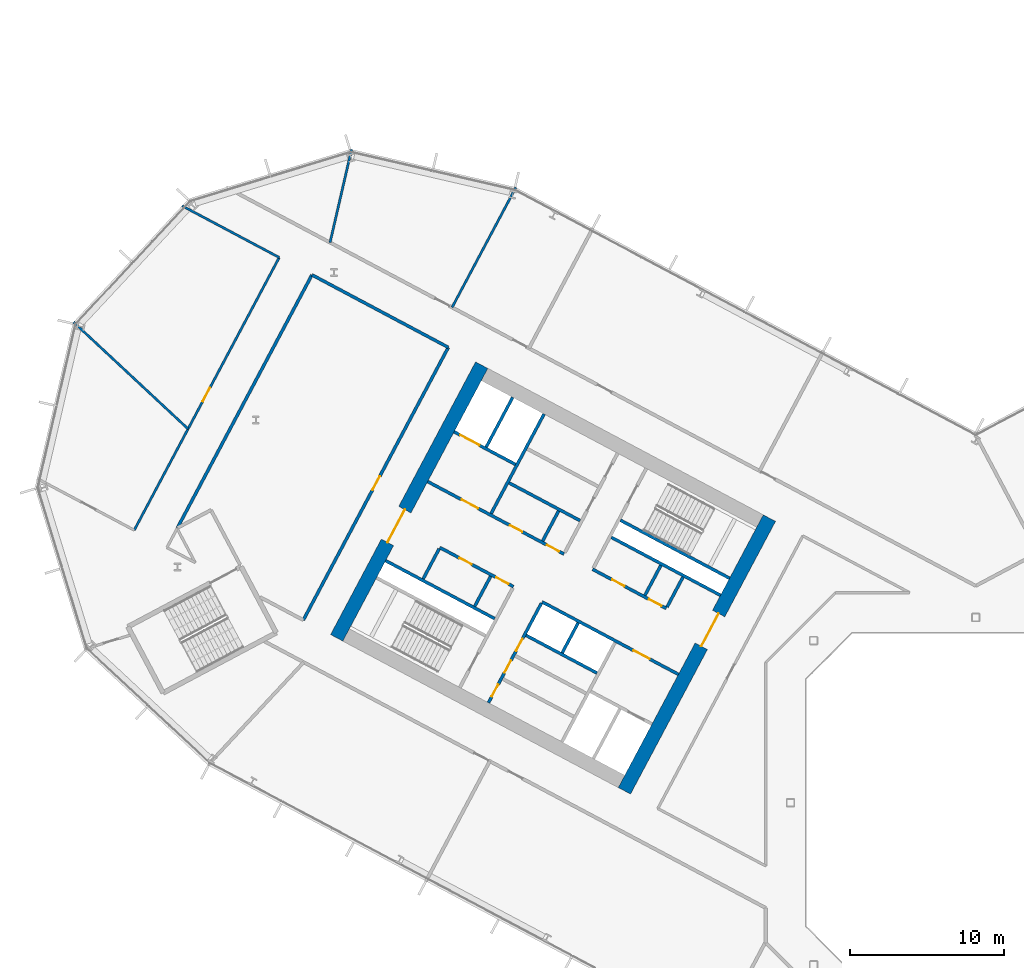
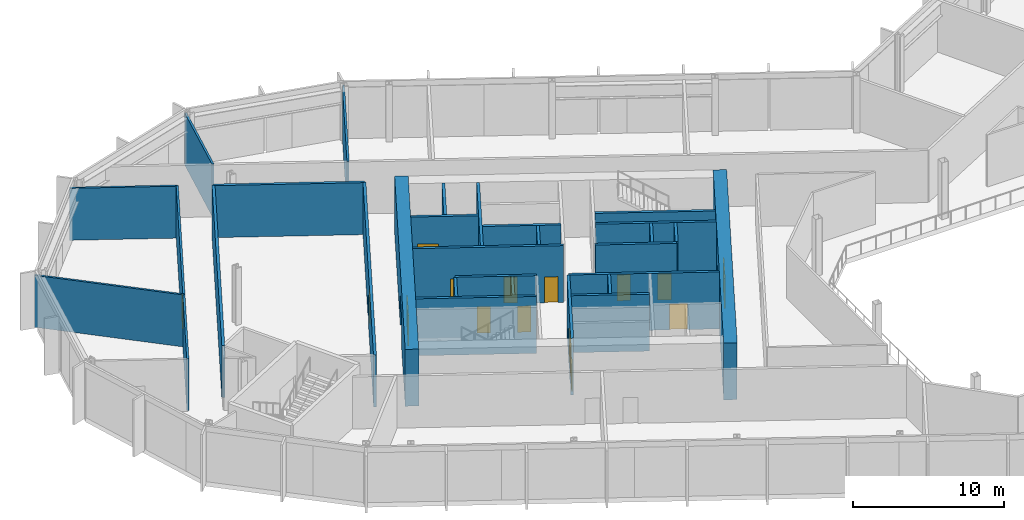
# One storey, part 15 of 32: 29 walls, 16 doors, 16 openings.
"""IFC4 building model written with IfcOpenShell, lengths in metres."""

import ifcopenshell
import ifcopenshell.guid

model = None  # the IFC model being written
_history = None  # IfcOwnerHistory: only IFC2X3 demands one
_inside = {}  # id of a spatial element -> (the spatial element, [elements in it])
_under = {}  # id of a project, library or spatial element -> (it, [spatial elements below it])
_declared = {}  # id of a project -> (the project, [libraries it declares])
_typed = {}  # id of a type object -> (the type object, [elements of that type])
_made_of = {}  # id of a material, layer set ... -> (it, [elements and type objects made of it])


def new_model(schema):
    """Start an empty IFC model of exactly this schema.

    Asked for "IFC4X3", IfcOpenShell would pick the latest addendum, in which some entities
    have other attributes; the version numbers below select the first issue.
    IFC2X3 requires an IfcOwnerHistory on every rooted entity: one is made here for all.
    """
    global model, _history
    if schema == "IFC4X3":
        model = ifcopenshell.file(schema_version=(4, 3, 0, 0))
    else:
        model = ifcopenshell.file(schema=schema)
    _inside.clear()
    _under.clear()
    _declared.clear()
    _typed.clear()
    _made_of.clear()
    _history = None
    if model.schema == "IFC2X3":
        org = make("IfcOrganization", Name="unknown")
        user = make(
            "IfcPersonAndOrganization",
            ThePerson=make("IfcPerson", FamilyName="unknown"),
            TheOrganization=org,
        )
        app = make(
            "IfcApplication",
            ApplicationDeveloper=org,
            Version="unknown",
            ApplicationFullName="unknown",
            ApplicationIdentifier="unknown",
        )
        _history = make(
            "IfcOwnerHistory",
            OwningUser=user,
            OwningApplication=app,
            ChangeAction="ADDED",
            CreationDate=0,
        )
    return model


def make(cls, **values):
    """One entity of the class cls with the attributes given. An attribute that is None is left unset."""
    return model.create_entity(
        cls, **{name: value for name, value in values.items() if value is not None}
    )


def rooted(cls, **values):
    """An entity with a GlobalId (a new one), such as an element, a storey or a relation."""
    return make(cls, GlobalId=ifcopenshell.guid.new(), OwnerHistory=_history, **values)


def si_unit(unit_type, name, prefix=None):
    """IfcSIUnit, for example si_unit("LENGTHUNIT", "METRE", prefix="MILLI")."""
    return make("IfcSIUnit", UnitType=unit_type, Prefix=prefix, Name=name)


def assignment(units):
    """IfcUnitAssignment: the units of a project."""
    return None if units is None else make("IfcUnitAssignment", Units=units)


def point(xyz):
    """IfcCartesianPoint."""
    return None if xyz is None else make("IfcCartesianPoint", Coordinates=xyz)


def direction(xyz):
    """IfcDirection."""
    return None if xyz is None else make("IfcDirection", DirectionRatios=xyz)


def frame(location, z_axis=None, x_axis=None):
    """IfcAxis2Placement3D, a coordinate frame: its origin and axes. An axis left out is left unset."""
    return make(
        "IfcAxis2Placement3D",
        Location=point(location),
        Axis=direction(z_axis),
        RefDirection=direction(x_axis),
    )


def frame_2d(location, x_axis=None):
    """IfcAxis2Placement2D, a coordinate frame in the plane: its origin and x axis."""
    return make(
        "IfcAxis2Placement2D", Location=point(location), RefDirection=direction(x_axis)
    )


def origin():
    """The frame at (0, 0, 0) with its axes left unset."""
    return frame((0.0, 0.0, 0.0))


def place(relative_to, where):
    """IfcLocalPlacement: puts the frame where relative to a parent placement (None: the world)."""
    return make(
        "IfcLocalPlacement", PlacementRelTo=relative_to, RelativePlacement=where
    )


def context(
    kind, dimensions, precision=None, world=None, true_north=None, identifier=None
):
    """IfcGeometricRepresentationContext, for example the 3D "Model" context."""
    return make(
        "IfcGeometricRepresentationContext",
        ContextIdentifier=identifier,
        ContextType=kind,
        CoordinateSpaceDimension=dimensions,
        Precision=precision,
        WorldCoordinateSystem=world,
        TrueNorth=true_north,
    )


def subcontext(parent, identifier, kind, view, scale=None):
    """IfcGeometricRepresentationSubContext, for example "Body" below "Model"."""
    return make(
        "IfcGeometricRepresentationSubContext",
        ContextIdentifier=identifier,
        ContextType=kind,
        ParentContext=parent,
        TargetScale=scale,
        TargetView=view,
    )


def project(units=None, contexts=None):
    """IfcProject with its units and contexts."""
    return rooted(
        "IfcProject",
        Name="project",
        RepresentationContexts=contexts,
        UnitsInContext=assignment(units),
    )


def spatial(cls, under=None, at=None, **own):
    """A site, building, storey or space (cls), placed at a placement, below another one or the project."""
    s = rooted(cls, ObjectPlacement=at, **own)
    if under is not None:
        _under.setdefault(under.id(), (under, []))[1].append(s)
    return s


def profile(cls, at=None, kind="AREA", **sizes):
    """A parametric profile (cls). Its sizes go by their IFC names, for example OverallWidth=200.0."""
    return make(cls, ProfileType=kind, Position=at, **sizes)


def rectangle(**sizes):
    """IfcRectangleProfileDef."""
    return profile("IfcRectangleProfileDef", **sizes)


def extrude(swept, where, along, depth):
    """IfcExtrudedAreaSolid: the profile swept, set in the frame where, extruded along a direction by depth."""
    return make(
        "IfcExtrudedAreaSolid",
        SweptArea=swept,
        Position=where,
        ExtrudedDirection=direction(along),
        Depth=depth,
    )


def shape(context_of_items, identifier, shape_type, items):
    """IfcShapeRepresentation: the items that make up one representation, for example the "Body"."""
    return make(
        "IfcShapeRepresentation",
        ContextOfItems=context_of_items,
        RepresentationIdentifier=identifier,
        RepresentationType=shape_type,
        Items=items,
    )


def material(Name=None, Category=None):
    """IfcMaterial."""
    return make("IfcMaterial", Name=Name, Category=Category)


def layer(
    of_material, thickness, ventilated=None, Name=None, Category=None, Priority=None
):
    """IfcMaterialLayer: one layer of a wall or slab, of a material (None: an air gap)."""
    return make(
        "IfcMaterialLayer",
        Material=of_material,
        LayerThickness=thickness,
        IsVentilated=ventilated,
        Name=Name,
        Category=Category,
        Priority=Priority,
    )


def layer_set(layers, Name=None):
    """IfcMaterialLayerSet."""
    return make("IfcMaterialLayerSet", MaterialLayers=layers, LayerSetName=Name)


def made_of(thing, what):
    """Note that an element or type object is made of a material, layer set ...; save() writes the relation."""
    if what is not None:
        _made_of.setdefault(what.id(), (what, []))[1].append(thing)
    return thing


def type_object(cls, material=None, **own):
    """A type object (cls), such as IfcWallType, which elements share."""
    return made_of(rooted(cls, **own), material)


def element(
    cls,
    number,
    at=None,
    inside=None,
    cuts=None,
    type_object=None,
    material=None,
    context=None,
    identifier="Body",
    shape_type=None,
    held_by="IfcProductDefinitionShape",
    body=None,
    shapes=None,
    **own,
):
    """One element of the class cls, such as IfcWall. Its Tag is "e" and its number.

    at: its placement. inside: the storey or other place that contains it. cuts: it is an
    opening in that element (IfcRelVoidsElement). A single representation is given by context,
    identifier, shape_type and body (its items); several are given by shapes. held_by: the class
    of the entity that holds the representations. save() writes the other relations.
    """
    e = rooted(cls, Tag="e%d" % number, ObjectPlacement=at, **own)
    if body is not None:
        shapes = [shape(context, identifier, shape_type, body)]
    if shapes is not None:
        e.Representation = make(held_by, Representations=shapes)
    if inside is not None:
        _inside.setdefault(inside.id(), (inside, []))[1].append(e)
    if cuts is not None:
        rooted(
            "IfcRelVoidsElement", RelatingBuildingElement=cuts, RelatedOpeningElement=e
        )
    if type_object is not None:
        _typed.setdefault(type_object.id(), (type_object, []))[1].append(e)
    return made_of(e, material)


def fill(opening, filler):
    """IfcRelFillsElement: the door or window that sits in an opening."""
    return rooted(
        "IfcRelFillsElement",
        RelatingOpeningElement=opening,
        RelatedBuildingElement=filler,
    )


def aggregate(whole, parts):
    """IfcRelAggregates: a whole, such as a stair, and the parts it consists of."""
    return rooted("IfcRelAggregates", RelatingObject=whole, RelatedObjects=parts)


def save(model, path):
    """Write the relations noted so far, then the file.

    IfcRelAggregates (storeys below a building ...), IfcRelContainedInSpatialStructure (elements
    in a storey), IfcRelDefinesByType, IfcRelAssociatesMaterial and IfcRelDeclares: one each for
    every whole, place, type object, material and project.
    """
    for whole, parts in _under.values():
        aggregate(whole, parts)
    for where, things in _inside.values():
        rooted(
            "IfcRelContainedInSpatialStructure",
            RelatedElements=things,
            RelatingStructure=where,
        )
    for kind, things in _typed.values():
        rooted("IfcRelDefinesByType", RelatedObjects=things, RelatingType=kind)
    for what, things in _made_of.values():
        rooted("IfcRelAssociatesMaterial", RelatedObjects=things, RelatingMaterial=what)
    for by, libraries in _declared.values():
        rooted("IfcRelDeclares", RelatingContext=by, RelatedDefinitions=libraries)
    model.write(path)


model = new_model("IFC4")

# Units and contexts
model_context = context("Model", 3, precision=1e-05, world=origin(), true_north=direction((0.0, 1.0)))
body_context = subcontext(model_context, "Body", "Model", "MODEL_VIEW")
ifc_project = project(units=[si_unit("LENGTHUNIT", "METRE"), si_unit("AREAUNIT", "SQUARE_METRE"), si_unit("VOLUMEUNIT", "CUBIC_METRE"), si_unit("PLANEANGLEUNIT", "RADIAN"), si_unit("MASSUNIT", "GRAM", prefix="KILO")], contexts=[model_context])

# Site, building, storey
site_placement = place(None, origin())
site = spatial("IfcSite", under=ifc_project, at=site_placement, CompositionType="ELEMENT")
building_placement = place(site_placement, origin())
building = spatial("IfcBuilding", under=site, at=building_placement, Name="Cormorant Relay Tower", CompositionType="ELEMENT")
storey_placement = place(building_placement, frame((0.0, 0.0, 75.39990234375)))
storey = spatial("IfcBuildingStorey", under=building, at=storey_placement, Name="L14", CompositionType="ELEMENT", Elevation=75.39990234375)

# Walls
ifc_material_1 = material(Name="Concrete 40 MPa", Category="concrete")
ifc_layer_1 = layer(ifc_material_1, 0.199951171875)
ifc_layer_set_1 = layer_set([ifc_layer_1], Name="Core internal wall 200")
wall_type_1 = type_object("IfcWallType", Name="Core internal wall 200", PredefinedType="SOLIDWALL", material=ifc_layer_set_1)
wall_1_placement = place(storey_placement, frame((-20.39013671875, 15.371826171875, 0.0), z_axis=(0.0, 0.0, 1.0), x_axis=(-0.4694473164, -0.882960484464, 0.0)))
element("IfcWall", 1, at=wall_1_placement, inside=storey, type_object=wall_type_1, Name="L14 core A shaft and room wall", PredefinedType="SOLIDWALL", context=body_context, shape_type="SweptSolid", body=[
    extrude(rectangle(XDim=2.199951171875, YDim=0.199951171875, at=frame_2d((1.10009765625, 0.0))), origin(), (0.0, 0.0, 1.0), 4.60009765625),
])
wall_2_placement = place(storey_placement, frame((-25.744140625, 11.64990234375, 0.0), z_axis=(0.0, 0.0, 1.0), x_axis=(-0.469487830541, -0.882938942948, 0.0)))
element("IfcWall", 2, at=wall_2_placement, inside=storey, type_object=wall_type_1, Name="L14 core A shaft and room wall", PredefinedType="SOLIDWALL", context=body_context, shape_type="SweptSolid", body=[
    extrude(rectangle(XDim=2.2001953125, YDim=0.199951171875, at=frame_2d((1.10009765625, 0.0))), origin(), (0.0, 0.0, 1.0), 4.60009765625),
])
for number, where, z_axis, x_axis, name in (
    (3, (-27.01220703125, 18.892822265625, 0.0), (0.0, 0.0, 1.0), (-0.4694473164, -0.882960484464, 0.0), "L14 core A shaft and room wall"),
    (4, (-31.41259765625, 14.663818359375, 0.0), (0.0, 0.0, 1.0), (-0.469533832133, -0.882914480843, 0.0), "L14 core A shaft and room wall"),
):
    element("IfcWall", number, at=place(storey_placement, frame(where, z_axis=z_axis, x_axis=x_axis)), inside=storey, type_object=wall_type_1, Name=name, PredefinedType="SOLIDWALL", context=body_context, shape_type="SweptSolid", body=[
        extrude(rectangle(XDim=2.199951171875, YDim=0.199951171875, at=frame_2d((1.10009765625, 0.0))), origin(), (0.0, 0.0, 1.0), 4.60009765625),
    ])
ifc_material_2 = material(Name="Concrete 50 MPa", Category="concrete")
ifc_layer_2 = layer(ifc_material_2, 0.199951171875)
ifc_layer_set_2 = layer_set([ifc_layer_2], Name="Core shaft wall 200")
wall_type_2 = type_object("IfcWallType", Name="Core shaft wall 200", PredefinedType="SHEAR", material=ifc_layer_set_2)
wall_3_placement = place(storey_placement, frame((-18.959716796875, 14.611328125, 0.0), z_axis=(0.0, 0.0, 1.0), x_axis=(-0.4694473164, -0.882960484464, 0.0)))
element("IfcWall", 5, at=wall_3_placement, inside=storey, type_object=wall_type_2, Name="L14 core A shaft wall", PredefinedType="SHEAR", context=body_context, shape_type="SweptSolid", body=[
    extrude(rectangle(XDim=2.199951171875, YDim=0.199951171875, at=frame_2d((1.10009765625, 0.0))), origin(), (0.0, 0.0, 1.0), 4.60009765625),
])

# Wall, openings, doors
wall_4_placement = place(storey_placement, frame((-28.128173828125, 12.91748046875, 0.0), z_axis=(0.0, 0.0, 1.0), x_axis=(-0.469454336211, -0.882956752176, 0.0)))
wall_4 = element("IfcWall", 6, at=wall_4_placement, inside=storey, type_object=wall_type_2, Name="L14 core A shaft wall", PredefinedType="SHEAR", context=body_context, shape_type="SweptSolid", body=[
    extrude(rectangle(XDim=7.300048828125, YDim=0.199951171875, at=frame_2d((3.64990234375, 0.0))), origin(), (0.0, 0.0, 1.0), 4.60009765625),
])
opening_1_placement = place(wall_4_placement, frame((2.60009765625, 0.0, 0.0)))
opening_1 = element("IfcOpeningElement", 7, at=opening_1_placement, cuts=wall_4, Name="Opening CDD-114", PredefinedType="OPENING", context=body_context, shape_type="SweptSolid", body=[
    extrude(rectangle(XDim=0.89990234375, YDim=2.10009765625, at=frame_2d((0.449951171875, 1.050048828125))), frame((0.0, 0.10986328125, 0.0), z_axis=(0.0, -1.0, 0.0), x_axis=(1.0, 0.0, 0.0)), (0.0, 0.0, 1.0), 0.219970703125),
])
opening_2_placement = place(wall_4_placement, frame((4.199951171875, 0.0, 0.0)))
opening_2 = element("IfcOpeningElement", 8, at=opening_2_placement, cuts=wall_4, Name="Opening CDD-115", PredefinedType="OPENING", context=body_context, shape_type="SweptSolid", body=[
    extrude(rectangle(XDim=0.89990234375, YDim=2.10009765625, at=frame_2d((0.449951171875, 1.050048828125))), frame((0.0, 0.10986328125, 0.0), z_axis=(0.0, -1.0, 0.0), x_axis=(1.0, 0.0, 0.0)), (0.0, 0.0, 1.0), 0.219970703125),
])
opening_3_placement = place(wall_4_placement, frame((5.949951171875, 0.0, 0.0)))
opening_3 = element("IfcOpeningElement", 9, at=opening_3_placement, cuts=wall_4, Name="Opening CDD-116", PredefinedType="OPENING", context=body_context, shape_type="SweptSolid", body=[
    extrude(rectangle(XDim=0.89990234375, YDim=2.10009765625, at=frame_2d((0.449951171875, 1.050048828125))), frame((0.0, 0.10986328125, 0.0), z_axis=(0.0, -1.0, 0.0), x_axis=(1.0, 0.0, 0.0)), (0.0, 0.0, 1.0), 0.219970703125),
])
ifc_material_3 = material(Name="Steel fire door", Category="steel")
door_type_1 = type_object("IfcDoorType", Name="Core room door 900x2100", OperationType="SINGLE_SWING_LEFT", PredefinedType="DOOR", material=ifc_material_3)
door_1_placement = place(opening_1_placement, origin())
door_1 = element("IfcDoor", 10, at=door_1_placement, inside=storey, type_object=door_type_1, Name="Core room door 900x2100", OperationType="SINGLE_SWING_LEFT", OverallHeight=2.10009765625, OverallWidth=0.89990234375, PredefinedType="DOOR", context=body_context, shape_type="SweptSolid", body=[
    extrude(rectangle(XDim=0.89990234375, YDim=2.10009765625, at=frame_2d((0.449951171875, 1.050048828125))), frame((0.0, 0.02490234375, 0.0), z_axis=(0.0, -1.0, 0.0), x_axis=(1.0, 0.0, 0.0)), (0.0, 0.0, 1.0), 0.050048828125),
])
fill(opening_1, door_1)
door_2_placement = place(opening_2_placement, origin())
door_2 = element("IfcDoor", 11, at=door_2_placement, inside=storey, type_object=door_type_1, Name="Core room door 900x2100", OperationType="SINGLE_SWING_LEFT", OverallHeight=2.10009765625, OverallWidth=0.89990234375, PredefinedType="DOOR", context=body_context, shape_type="SweptSolid", body=[
    extrude(rectangle(XDim=0.89990234375, YDim=2.10009765625, at=frame_2d((0.449951171875, 1.050048828125))), frame((0.0, 0.02490234375, 0.0), z_axis=(0.0, -1.0, 0.0), x_axis=(1.0, 0.0, 0.0)), (0.0, 0.0, 1.0), 0.050048828125),
])
fill(opening_2, door_2)
door_3_placement = place(opening_3_placement, origin())
door_3 = element("IfcDoor", 12, at=door_3_placement, inside=storey, type_object=door_type_1, Name="Core room door 900x2100", OperationType="SINGLE_SWING_LEFT", OverallHeight=2.10009765625, OverallWidth=0.89990234375, PredefinedType="DOOR", context=body_context, shape_type="SweptSolid", body=[
    extrude(rectangle(XDim=0.89990234375, YDim=2.10009765625, at=frame_2d((0.449951171875, 1.050048828125))), frame((0.0, 0.02490234375, 0.0), z_axis=(0.0, -1.0, 0.0), x_axis=(1.0, 0.0, 0.0)), (0.0, 0.0, 1.0), 0.050048828125),
])
fill(opening_3, door_3)

# Walls
wall_5_placement = place(storey_placement, frame((-27.955322265625, 25.170654296875, 0.0), z_axis=(0.0, 0.0, 1.0), x_axis=(-0.469480409012, -0.88294288918, 0.0)))
element("IfcWall", 13, at=wall_5_placement, inside=storey, type_object=wall_type_2, Name="L14 core A shaft wall", PredefinedType="SHEAR", context=body_context, shape_type="SweptSolid", body=[
    extrude(rectangle(XDim=7.300048828125, YDim=0.199951171875, at=frame_2d((3.64990234375, 0.0))), origin(), (0.0, 0.0, 1.0), 4.60009765625),
])
wall_6_placement = place(storey_placement, frame((-34.750244140625, 16.4384765625, 0.0), z_axis=(0.0, 0.0, 1.0), x_axis=(-0.469401318492, -0.882984938828, 0.0)))
element("IfcWall", 14, at=wall_6_placement, inside=storey, type_object=wall_type_2, Name="L14 core A shaft wall", PredefinedType="SHEAR", context=body_context, shape_type="SweptSolid", body=[
    extrude(rectangle(XDim=2.199951171875, YDim=0.199951171875, at=frame_2d((1.10009765625, 0.0))), origin(), (0.0, 0.0, 1.0), 4.60009765625),
])
wall_7_placement = place(storey_placement, frame((-29.986083984375, 26.250244140625, 0.0), z_axis=(0.0, 0.0, 1.0), x_axis=(-0.469494272526, -0.882935517501, 0.0)))
element("IfcWall", 15, at=wall_7_placement, inside=storey, type_object=wall_type_2, Name="L14 core A shaft wall", PredefinedType="SHEAR", context=body_context, shape_type="SweptSolid", body=[
    extrude(rectangle(XDim=3.64990234375, YDim=0.199951171875, at=frame_2d((1.824951171875, 0.0))), origin(), (0.0, 0.0, 1.0), 4.60009765625),
])
wall_8_placement = place(storey_placement, frame((-15.94189453125, 14.53564453125, 0.0), z_axis=(0.0, 0.0, 1.0), x_axis=(-0.882946947542, 0.469472776449, 0.0)))
element("IfcWall", 16, at=wall_8_placement, inside=storey, type_object=wall_type_2, Name="L14 core A shaft wall", PredefinedType="SHEAR", context=body_context, shape_type="SweptSolid", body=[
    extrude(rectangle(XDim=8.000244140625, YDim=0.199951171875, at=frame_2d((4.0, 0.0))), origin(), (0.0, 0.0, 1.0), 4.60009765625),
])

# Wall, opening, door
wall_9_placement = place(storey_placement, frame((-29.80419921875, 21.906494140625, 0.0), z_axis=(0.0, 0.0, 1.0), x_axis=(-0.882960433586, 0.469447412093, 0.0)))
wall_9 = element("IfcWall", 17, at=wall_9_placement, inside=storey, type_object=wall_type_2, Name="L14 core A shaft wall", PredefinedType="SHEAR", context=body_context, shape_type="SweptSolid", body=[
    extrude(rectangle(XDim=4.5, YDim=0.199951171875, at=frame_2d((2.25, 0.0))), origin(), (0.0, 0.0, 1.0), 4.60009765625),
])
opening_4_placement = place(wall_9_placement, frame((2.64990234375, 0.0, 0.0)))
opening_4 = element("IfcOpeningElement", 18, at=opening_4_placement, cuts=wall_9, Name="Opening LD3-009", PredefinedType="OPENING", context=body_context, shape_type="SweptSolid", body=[
    extrude(rectangle(XDim=1.39990234375, YDim=2.39990234375, at=frame_2d((0.699951171875, 1.199951171875))), frame((0.0, 0.10986328125, 0.0), z_axis=(0.0, -1.0, 0.0), x_axis=(1.0, 0.0, 0.0)), (0.0, 0.0, 1.0), 0.219970703125),
])
ifc_material_4 = material(Name="Stainless steel 316", Category="steel")
door_type_2 = type_object("IfcDoorType", Name="Lift landing door 1400x2400", OperationType="DOUBLE_DOOR_SLIDING", PredefinedType="DOOR", material=ifc_material_4)
door_4_placement = place(opening_4_placement, origin())
door_4 = element("IfcDoor", 19, at=door_4_placement, inside=storey, type_object=door_type_2, Name="SV1 landing door", OperationType="DOUBLE_DOOR_SLIDING", OverallHeight=2.39990234375, OverallWidth=1.39990234375, PredefinedType="DOOR", context=body_context, shape_type="SweptSolid", body=[
    extrude(rectangle(XDim=1.39990234375, YDim=2.39990234375, at=frame_2d((0.699951171875, 1.199951171875))), frame((0.0, 0.02490234375, 0.0), z_axis=(0.0, -1.0, 0.0), x_axis=(1.0, 0.0, 0.0)), (0.0, 0.0, 1.0), 0.050048828125),
])
fill(opening_4, door_4)

# Walls
wall_10_placement = place(storey_placement, frame((-16.52880859375, 13.43212890625, 0.0), z_axis=(0.0, 0.0, 1.0), x_axis=(-0.88295287151, 0.469461634952, 0.0)))
element("IfcWall", 20, at=wall_10_placement, inside=storey, type_object=wall_type_2, Name="L14 core A shaft wall", PredefinedType="SHEAR", context=body_context, shape_type="SweptSolid", body=[
    extrude(rectangle(XDim=7.999755859375, YDim=0.199951171875, at=frame_2d((4.0, 0.0))), origin(), (0.0, 0.0, 1.0), 4.60009765625),
])
wall_11_placement = place(storey_placement, frame((-25.623046875, 18.267578125, 0.0), z_axis=(0.0, 0.0, 1.0), x_axis=(-0.882953967957, 0.469459572775, 0.0)))
element("IfcWall", 21, at=wall_11_placement, inside=storey, type_object=wall_type_2, Name="L14 core A shaft wall", PredefinedType="SHEAR", context=body_context, shape_type="SweptSolid", body=[
    extrude(rectangle(XDim=5.199951171875, YDim=0.199951171875, at=frame_2d((2.60009765625, 0.0))), origin(), (0.0, 0.0, 1.0), 4.60009765625),
])

# Wall, openings, doors
wall_12_placement = place(storey_placement, frame((-20.03955078125, 12.58056640625, 0.0), z_axis=(0.0, 0.0, 1.0), x_axis=(-0.882942972946, 0.469480251476, 0.0)))
wall_12 = element("IfcWall", 22, at=wall_12_placement, inside=storey, type_object=wall_type_2, Name="L14 core A shaft wall", PredefinedType="SHEAR", context=body_context, shape_type="SweptSolid", body=[
    extrude(rectangle(XDim=5.39990234375, YDim=0.199951171875, at=frame_2d((2.699951171875, 0.0))), origin(), (0.0, 0.0, 1.0), 4.60009765625),
])
opening_5_placement = place(wall_12_placement, frame((0.360107421875, 0.0, 0.0)))
opening_5 = element("IfcOpeningElement", 23, at=opening_5_placement, cuts=wall_12, Name="Opening CDD-110", PredefinedType="OPENING", context=body_context, shape_type="SweptSolid", body=[
    extrude(rectangle(XDim=0.89990234375, YDim=2.10009765625, at=frame_2d((0.449951171875, 1.050048828125))), frame((0.0, 0.10986328125, 0.0), z_axis=(0.0, -1.0, 0.0), x_axis=(1.0, 0.0, 0.0)), (0.0, 0.0, 1.0), 0.219970703125),
])
opening_6_placement = place(wall_12_placement, frame((3.06005859375, 0.0, 0.0)))
opening_6 = element("IfcOpeningElement", 24, at=opening_6_placement, cuts=wall_12, Name="Opening CDD-111", PredefinedType="OPENING", context=body_context, shape_type="SweptSolid", body=[
    extrude(rectangle(XDim=0.89990234375, YDim=2.10009765625, at=frame_2d((0.449951171875, 1.050048828125))), frame((0.0, 0.10986328125, 0.0), z_axis=(0.0, -1.0, 0.0), x_axis=(1.0, 0.0, 0.0)), (0.0, 0.0, 1.0), 0.219970703125),
])
door_5_placement = place(opening_5_placement, frame((0.89990234375, 0.0, 0.0), z_axis=(0.0, 0.0, 1.0), x_axis=(-1.0, 0.0, 0.0)))
door_5 = element("IfcDoor", 25, at=door_5_placement, inside=storey, type_object=door_type_1, Name="Core room door 900x2100", OperationType="SINGLE_SWING_RIGHT", OverallHeight=2.10009765625, OverallWidth=0.89990234375, PredefinedType="DOOR", context=body_context, shape_type="SweptSolid", body=[
    extrude(rectangle(XDim=0.89990234375, YDim=2.10009765625, at=frame_2d((0.449951171875, 1.050048828125))), frame((0.0, 0.02490234375, 0.0), z_axis=(0.0, -1.0, 0.0), x_axis=(1.0, 0.0, 0.0)), (0.0, 0.0, 1.0), 0.050048828125),
])
fill(opening_5, door_5)
door_6_placement = place(opening_6_placement, frame((0.89990234375, 0.0, 0.0), z_axis=(0.0, 0.0, 1.0), x_axis=(-1.0, 0.0, 0.0)))
door_6 = element("IfcDoor", 26, at=door_6_placement, inside=storey, type_object=door_type_1, Name="Core room door 900x2100", OperationType="SINGLE_SWING_RIGHT", OverallHeight=2.10009765625, OverallWidth=0.89990234375, PredefinedType="DOOR", context=body_context, shape_type="SweptSolid", body=[
    extrude(rectangle(XDim=0.89990234375, YDim=2.10009765625, at=frame_2d((0.449951171875, 1.050048828125))), frame((0.0, 0.02490234375, 0.0), z_axis=(0.0, -1.0, 0.0), x_axis=(1.0, 0.0, 0.0)), (0.0, 0.0, 1.0), 0.050048828125),
])
fill(opening_6, door_6)

wall_13_placement = place(storey_placement, frame((-26.66162109375, 16.1015625, 0.0), z_axis=(0.0, 0.0, 1.0), x_axis=(-0.882940221191, 0.469485426614, 0.0)))
wall_13 = element("IfcWall", 27, at=wall_13_placement, inside=storey, type_object=wall_type_2, Name="L14 core A shaft wall", PredefinedType="SHEAR", context=body_context, shape_type="SweptSolid", body=[
    extrude(rectangle(XDim=10.0, YDim=0.199951171875, at=frame_2d((5.0, 0.0))), origin(), (0.0, 0.0, 1.0), 4.60009765625),
])
opening_7_placement = place(wall_13_placement, frame((6.300048828125, 0.0, 0.0)))
opening_7 = element("IfcOpeningElement", 28, at=opening_7_placement, cuts=wall_13, Name="Opening CDC-018", PredefinedType="OPENING", context=body_context, shape_type="SweptSolid", body=[
    extrude(rectangle(XDim=1.199951171875, YDim=2.10009765625, at=frame_2d((0.60009765625, 1.050048828125))), frame((0.0, 0.10986328125, 0.0), z_axis=(0.0, -1.0, 0.0), x_axis=(1.0, 0.0, 0.0)), (0.0, 0.0, 1.0), 0.219970703125),
])
opening_8_placement = place(wall_13_placement, frame((0.360107421875, 0.0, 0.0)))
opening_8 = element("IfcOpeningElement", 29, at=opening_8_placement, cuts=wall_13, Name="Opening CDD-112", PredefinedType="OPENING", context=body_context, shape_type="SweptSolid", body=[
    extrude(rectangle(XDim=0.89990234375, YDim=2.10009765625, at=frame_2d((0.449951171875, 1.050048828125))), frame((0.0, 0.10986328125, 0.0), z_axis=(0.0, -1.0, 0.0), x_axis=(1.0, 0.0, 0.0)), (0.0, 0.0, 1.0), 0.219970703125),
])
opening_9_placement = place(wall_13_placement, frame((3.06005859375, 0.0, 0.0)))
opening_9 = element("IfcOpeningElement", 30, at=opening_9_placement, cuts=wall_13, Name="Opening CDD-113", PredefinedType="OPENING", context=body_context, shape_type="SweptSolid", body=[
    extrude(rectangle(XDim=0.89990234375, YDim=2.10009765625, at=frame_2d((0.449951171875, 1.050048828125))), frame((0.0, 0.10986328125, 0.0), z_axis=(0.0, -1.0, 0.0), x_axis=(1.0, 0.0, 0.0)), (0.0, 0.0, 1.0), 0.219970703125),
])
ifc_material_5 = material(Name="Steel fire door", Category="steel")
door_type_3 = type_object("IfcDoorType", Name="Core lobby door 1200x2100", OperationType="SINGLE_SWING_LEFT", PredefinedType="DOOR", material=ifc_material_5)
door_7_placement = place(opening_7_placement, origin())
door_7 = element("IfcDoor", 31, at=door_7_placement, inside=storey, type_object=door_type_3, Name="Core lobby door 1200x2100", OperationType="SINGLE_SWING_LEFT", OverallHeight=2.10009765625, OverallWidth=1.199951171875, PredefinedType="DOOR", context=body_context, shape_type="SweptSolid", body=[
    extrude(rectangle(XDim=1.199951171875, YDim=2.10009765625, at=frame_2d((0.60009765625, 1.050048828125))), frame((0.0, 0.02490234375, 0.0), z_axis=(0.0, -1.0, 0.0), x_axis=(1.0, 0.0, 0.0)), (0.0, 0.0, 1.0), 0.050048828125),
])
fill(opening_7, door_7)
door_8_placement = place(opening_8_placement, frame((0.89990234375, 0.0, 0.0), z_axis=(0.0, 0.0, 1.0), x_axis=(-1.0, 0.0, 0.0)))
door_8 = element("IfcDoor", 32, at=door_8_placement, inside=storey, type_object=door_type_1, Name="Core room door 900x2100", OperationType="SINGLE_SWING_RIGHT", OverallHeight=2.10009765625, OverallWidth=0.89990234375, PredefinedType="DOOR", context=body_context, shape_type="SweptSolid", body=[
    extrude(rectangle(XDim=0.89990234375, YDim=2.10009765625, at=frame_2d((0.449951171875, 1.050048828125))), frame((0.0, 0.02490234375, 0.0), z_axis=(0.0, -1.0, 0.0), x_axis=(1.0, 0.0, 0.0)), (0.0, 0.0, 1.0), 0.050048828125),
])
fill(opening_8, door_8)
door_9_placement = place(opening_9_placement, frame((0.89990234375, 0.0, 0.0), z_axis=(0.0, 0.0, 1.0), x_axis=(-1.0, 0.0, 0.0)))
door_9 = element("IfcDoor", 33, at=door_9_placement, inside=storey, type_object=door_type_1, Name="Core room door 900x2100", OperationType="SINGLE_SWING_RIGHT", OverallHeight=2.10009765625, OverallWidth=0.89990234375, PredefinedType="DOOR", context=body_context, shape_type="SweptSolid", body=[
    extrude(rectangle(XDim=0.89990234375, YDim=2.10009765625, at=frame_2d((0.449951171875, 1.050048828125))), frame((0.0, 0.02490234375, 0.0), z_axis=(0.0, -1.0, 0.0), x_axis=(1.0, 0.0, 0.0)), (0.0, 0.0, 1.0), 0.050048828125),
])
fill(opening_9, door_9)

# Wall, opening, door
wall_14_placement = place(storey_placement, frame((-19.251708984375, 8.31103515625, 0.0), z_axis=(0.0, 0.0, 1.0), x_axis=(-0.882955722218, 0.469456273365, 0.0)))
wall_14 = element("IfcWall", 34, at=wall_14_placement, inside=storey, type_object=wall_type_2, Name="L14 core A shaft wall", PredefinedType="SHEAR", context=body_context, shape_type="SweptSolid", body=[
    extrude(rectangle(XDim=10.0, YDim=0.199951171875, at=frame_2d((5.0, 0.0))), origin(), (0.0, 0.0, 1.0), 4.60009765625),
])
opening_10_placement = place(wall_14_placement, frame((2.10009765625, 0.0, 0.0)))
opening_10 = element("IfcOpeningElement", 35, at=opening_10_placement, cuts=wall_14, Name="Opening CDC-017", PredefinedType="OPENING", context=body_context, shape_type="SweptSolid", body=[
    extrude(rectangle(XDim=1.199951171875, YDim=2.10009765625, at=frame_2d((0.60009765625, 1.050048828125))), frame((0.0, 0.10986328125, 0.0), z_axis=(0.0, -1.0, 0.0), x_axis=(1.0, 0.0, 0.0)), (0.0, 0.0, 1.0), 0.219970703125),
])
door_10_placement = place(opening_10_placement, origin())
door_10 = element("IfcDoor", 36, at=door_10_placement, inside=storey, type_object=door_type_3, Name="Core lobby door 1200x2100", OperationType="SINGLE_SWING_RIGHT", OverallHeight=2.10009765625, OverallWidth=1.199951171875, PredefinedType="DOOR", context=body_context, shape_type="SweptSolid", body=[
    extrude(rectangle(XDim=1.199951171875, YDim=2.10009765625, at=frame_2d((0.60009765625, 1.050048828125))), frame((0.0, 0.02490234375, 0.0), z_axis=(0.0, -1.0, 0.0), x_axis=(1.0, 0.0, 0.0)), (0.0, 0.0, 1.0), 0.050048828125),
])
fill(opening_10, door_10)

# Wall, openings, doors
wall_15_placement = place(storey_placement, frame((-29.935302734375, 13.991455078125, 0.0), z_axis=(0.0, 0.0, 1.0), x_axis=(-0.882952937579, 0.469461510692, 0.0)))
wall_15 = element("IfcWall", 37, at=wall_15_placement, inside=storey, type_object=wall_type_2, Name="L14 core A shaft wall", PredefinedType="SHEAR", context=body_context, shape_type="SweptSolid", body=[
    extrude(rectangle(XDim=5.400146484375, YDim=0.199951171875, at=frame_2d((2.7001953125, 0.0))), origin(), (0.0, 0.0, 1.0), 4.60009765625),
])
opening_11_placement = place(wall_15_placement, frame((0.360107421875, 0.0, 0.0)))
opening_11 = element("IfcOpeningElement", 38, at=opening_11_placement, cuts=wall_15, Name="Opening CDD-108", PredefinedType="OPENING", context=body_context, shape_type="SweptSolid", body=[
    extrude(rectangle(XDim=0.89990234375, YDim=2.10009765625, at=frame_2d((0.449951171875, 1.050048828125))), frame((0.0, 0.10986328125, 0.0), z_axis=(0.0, -1.0, 0.0), x_axis=(1.0, 0.0, 0.0)), (0.0, 0.0, 1.0), 0.219970703125),
])
opening_12_placement = place(wall_15_placement, frame((3.06005859375, 0.0, 0.0)))
opening_12 = element("IfcOpeningElement", 39, at=opening_12_placement, cuts=wall_15, Name="Opening CDD-109", PredefinedType="OPENING", context=body_context, shape_type="SweptSolid", body=[
    extrude(rectangle(XDim=0.89990234375, YDim=2.10009765625, at=frame_2d((0.449951171875, 1.050048828125))), frame((0.0, 0.10986328125, 0.0), z_axis=(0.0, -1.0, 0.0), x_axis=(1.0, 0.0, 0.0)), (0.0, 0.0, 1.0), 0.219970703125),
])
door_11_placement = place(opening_11_placement, origin())
door_11 = element("IfcDoor", 40, at=door_11_placement, inside=storey, type_object=door_type_1, Name="Core room door 900x2100", OperationType="SINGLE_SWING_LEFT", OverallHeight=2.10009765625, OverallWidth=0.89990234375, PredefinedType="DOOR", context=body_context, shape_type="SweptSolid", body=[
    extrude(rectangle(XDim=0.89990234375, YDim=2.10009765625, at=frame_2d((0.449951171875, 1.050048828125))), frame((0.0, 0.02490234375, 0.0), z_axis=(0.0, -1.0, 0.0), x_axis=(1.0, 0.0, 0.0)), (0.0, 0.0, 1.0), 0.050048828125),
])
fill(opening_11, door_11)
door_12_placement = place(opening_12_placement, origin())
door_12 = element("IfcDoor", 41, at=door_12_placement, inside=storey, type_object=door_type_1, Name="Core room door 900x2100", OperationType="SINGLE_SWING_LEFT", OverallHeight=2.10009765625, OverallWidth=0.89990234375, PredefinedType="DOOR", context=body_context, shape_type="SweptSolid", body=[
    extrude(rectangle(XDim=0.89990234375, YDim=2.10009765625, at=frame_2d((0.449951171875, 1.050048828125))), frame((0.0, 0.02490234375, 0.0), z_axis=(0.0, -1.0, 0.0), x_axis=(1.0, 0.0, 0.0)), (0.0, 0.0, 1.0), 0.050048828125),
])
fill(opening_12, door_12)

# Walls
wall_16_placement = place(storey_placement, frame((-24.5283203125, 8.3984375, 0.0), z_axis=(0.0, 0.0, 1.0), x_axis=(-0.882953967957, 0.469459572775, 0.0)))
element("IfcWall", 42, at=wall_16_placement, inside=storey, type_object=wall_type_2, Name="L14 core A shaft wall", PredefinedType="SHEAR", context=body_context, shape_type="SweptSolid", body=[
    extrude(rectangle(XDim=5.199951171875, YDim=0.199951171875, at=frame_2d((2.60009765625, 0.0))), origin(), (0.0, 0.0, 1.0), 4.60009765625),
])
wall_17_placement = place(storey_placement, frame((-31.150390625, 11.91943359375, 0.0), z_axis=(0.0, 0.0, 1.0), x_axis=(-0.882940221191, 0.469485426614, 0.0)))
element("IfcWall", 43, at=wall_17_placement, inside=storey, type_object=wall_type_2, Name="L14 core A shaft wall", PredefinedType="SHEAR", context=body_context, shape_type="SweptSolid", body=[
    extrude(rectangle(XDim=8.0, YDim=0.199951171875, at=frame_2d((4.0, 0.0))), origin(), (0.0, 0.0, 1.0), 4.60009765625),
])

# Wall, opening, door
ifc_material_6 = material(Name="Concrete 70 MPa", Category="concrete")
ifc_layer_3 = layer(ifc_material_6, 0.89990234375)
ifc_layer_set_3 = layer_set([ifc_layer_3], Name="Core wall 900")
wall_type_3 = type_object("IfcWallType", Name="Core wall 900", PredefinedType="SHEAR", material=ifc_layer_set_3)
wall_18_placement = place(storey_placement, frame((-13.361572265625, 18.43017578125, 0.0), z_axis=(0.0, 0.0, 1.0), x_axis=(-0.46947084998, -0.882947971864, 0.0)))
wall_18 = element("IfcWall", 44, at=wall_18_placement, inside=storey, type_object=wall_type_3, Name="L14 core A wall", PredefinedType="SHEAR", context=body_context, shape_type="SweptSolid", body=[
    extrude(rectangle(XDim=20.0, YDim=0.89990234375, at=frame_2d((10.0, 0.0))), origin(), (0.0, 0.0, 1.0), 4.60009765625),
])
opening_13_placement = place(wall_18_placement, frame((7.0, 0.0, 0.0)))
opening_13 = element("IfcOpeningElement", 45, at=opening_13_placement, cuts=wall_18, Name="Opening CDA-017", PredefinedType="OPENING", context=body_context, shape_type="SweptSolid", body=[
    extrude(rectangle(XDim=2.39990234375, YDim=2.39990234375, at=frame_2d((1.199951171875, 1.199951171875))), frame((0.0, 0.4599609375, 0.0), z_axis=(0.0, -1.0, 0.0), x_axis=(1.0, 0.0, 0.0)), (0.0, 0.0, 1.0), 0.919921875),
])
ifc_material_7 = material(Name="Steel fire door", Category="steel")
door_type_4 = type_object("IfcDoorType", Name="Core lobby door 2400x2400", OperationType="DOUBLE_DOOR_SINGLE_SWING", PredefinedType="DOOR", material=ifc_material_7)
door_13_placement = place(opening_13_placement, frame((2.39990234375, 0.0, 0.0), z_axis=(0.0, 0.0, 1.0), x_axis=(-1.0, 0.0, 0.0)))
door_13 = element("IfcDoor", 46, at=door_13_placement, inside=storey, type_object=door_type_4, Name="Core lobby door 2400x2400", OperationType="DOUBLE_DOOR_SINGLE_SWING", OverallHeight=2.39990234375, OverallWidth=2.39990234375, PredefinedType="DOOR", context=body_context, shape_type="SweptSolid", body=[
    extrude(rectangle(XDim=2.39990234375, YDim=2.39990234375, at=frame_2d((1.199951171875, 1.199951171875))), frame((0.0, 0.02490234375, 0.0), z_axis=(0.0, -1.0, 0.0), x_axis=(1.0, 0.0, 0.0)), (0.0, 0.0, 1.0), 0.050048828125),
])
fill(opening_13, door_13)

wall_19_placement = place(storey_placement, frame((-31.99169921875, 28.3359375, 0.0), z_axis=(0.0, 0.0, 1.0), x_axis=(-0.46947084998, -0.882947971864, 0.0)))
wall_19 = element("IfcWall", 47, at=wall_19_placement, inside=storey, type_object=wall_type_3, Name="L14 core A wall", PredefinedType="SHEAR", context=body_context, shape_type="SweptSolid", body=[
    extrude(rectangle(XDim=20.0, YDim=0.89990234375, at=frame_2d((10.0, 0.0))), origin(), (0.0, 0.0, 1.0), 4.60009765625),
])
opening_14_placement = place(wall_19_placement, frame((10.60009765625, 0.0, 0.0)))
opening_14 = element("IfcOpeningElement", 48, at=opening_14_placement, cuts=wall_19, Name="Opening CDA-018", PredefinedType="OPENING", context=body_context, shape_type="SweptSolid", body=[
    extrude(rectangle(XDim=2.39990234375, YDim=2.39990234375, at=frame_2d((1.199951171875, 1.199951171875))), frame((0.0, 0.4599609375, 0.0), z_axis=(0.0, -1.0, 0.0), x_axis=(1.0, 0.0, 0.0)), (0.0, 0.0, 1.0), 0.919921875),
])
door_14_placement = place(opening_14_placement, origin())
door_14 = element("IfcDoor", 49, at=door_14_placement, inside=storey, type_object=door_type_4, Name="Core lobby door 2400x2400", OperationType="DOUBLE_DOOR_SINGLE_SWING", OverallHeight=2.39990234375, OverallWidth=2.39990234375, PredefinedType="DOOR", context=body_context, shape_type="SweptSolid", body=[
    extrude(rectangle(XDim=2.39990234375, YDim=2.39990234375, at=frame_2d((1.199951171875, 1.199951171875))), frame((0.0, 0.02490234375, 0.0), z_axis=(0.0, -1.0, 0.0), x_axis=(1.0, 0.0, 0.0)), (0.0, 0.0, 1.0), 0.050048828125),
])
fill(opening_14, door_14)

# Walls
ifc_material_8 = material(Name="Fire-rated gypsum board partition")
ifc_layer_4 = layer(ifc_material_8, 0.199951171875)
ifc_layer_set_4 = layer_set([ifc_layer_4], Name="Fire-rated gypsum partition 200")
wall_type_4 = type_object("IfcWallType", Name="Fire-rated gypsum partition 200", PredefinedType="PARTITIONING", material=ifc_layer_set_4)
wall_20_placement = place(storey_placement, frame((-51.695068359375, 17.798095703125, 0.0), z_axis=(0.0, 0.0, 1.0), x_axis=(0.469483567396, 0.88294120979, 0.0)))
element("IfcWall", 50, at=wall_20_placement, inside=storey, type_object=wall_type_4, Name="wall/L14/part/12", PredefinedType="PARTITIONING", context=body_context, shape_type="SweptSolid", body=[
    extrude(rectangle(XDim=18.554931640625, YDim=0.199951171875, at=frame_2d((9.27734375, 0.0))), origin(), (0.0, 0.0, 1.0), 4.2001953125),
])
wall_21_placement = place(storey_placement, frame((-42.98388671875, 34.180908203125, 0.0), z_axis=(0.0, 0.0, 1.0), x_axis=(0.882929457898, -0.469505668097, 0.0)))
element("IfcWall", 51, at=wall_21_placement, inside=storey, type_object=wall_type_4, Name="wall/L14/part/13", PredefinedType="PARTITIONING", context=body_context, shape_type="SweptSolid", body=[
    extrude(rectangle(XDim=9.99951171875, YDim=0.199951171875, at=frame_2d((4.999755859375, 0.0))), origin(), (0.0, 0.0, 1.0), 4.2001953125),
])

# Wall, opening, door
wall_22_placement = place(storey_placement, frame((-34.155029296875, 29.486083984375, 0.0), z_axis=(0.0, 0.0, 1.0), x_axis=(-0.469446756585, -0.882960782103, 0.0)))
wall_22 = element("IfcWall", 52, at=wall_22_placement, inside=storey, type_object=wall_type_4, Name="wall/L14/part/14", PredefinedType="PARTITIONING", context=body_context, shape_type="SweptSolid", body=[
    extrude(rectangle(XDim=20.0, YDim=0.199951171875, at=frame_2d((10.0, 0.0))), origin(), (0.0, 0.0, 1.0), 4.2001953125),
])
opening_15_placement = place(wall_22_placement, frame((9.449951171875, 0.0, 0.0)))
opening_15 = element("IfcOpeningElement", 53, at=opening_15_placement, cuts=wall_22, Name="Opening FD1-086", PredefinedType="OPENING", context=body_context, shape_type="SweptSolid", body=[
    extrude(rectangle(XDim=1.0, YDim=2.10009765625, at=frame_2d((0.5, 1.050048828125))), frame((0.0, 0.10986328125, 0.0), z_axis=(0.0, -1.0, 0.0), x_axis=(1.0, 0.0, 0.0)), (0.0, 0.0, 1.0), 0.219970703125),
])
ifc_material_9 = material(Name="Fire-rated steel door", Category="steel")
door_type_5 = type_object("IfcDoorType", Name="Fire door 1000 x 2100", OperationType="SINGLE_SWING_LEFT", PredefinedType="DOOR", material=ifc_material_9)
door_15_placement = place(opening_15_placement, frame((1.0, 0.0, 0.0), z_axis=(0.0, 0.0, 1.0), x_axis=(-1.0, 0.0, 0.0)))
door_15 = element("IfcDoor", 54, at=door_15_placement, inside=storey, type_object=door_type_5, Name="door/L14/3", OperationType="SINGLE_SWING_RIGHT", OverallHeight=2.10009765625, OverallWidth=1.0, PredefinedType="DOOR", context=body_context, shape_type="SweptSolid", body=[
    extrude(rectangle(XDim=1.0, YDim=2.10009765625, at=frame_2d((0.5, 1.050048828125))), frame((0.0, 0.02490234375, 0.0), z_axis=(0.0, -1.0, 0.0), x_axis=(1.0, 0.0, 0.0)), (0.0, 0.0, 1.0), 0.050048828125),
])
fill(opening_15, door_15)

ifc_material_10 = material(Name="Gypsum board partition")
ifc_layer_5 = layer(ifc_material_10, 0.14990234375)
ifc_layer_set_5 = layer_set([ifc_layer_5], Name="Gypsum board partition 150")
wall_type_5 = type_object("IfcWallType", Name="Gypsum board partition 150", PredefinedType="PARTITIONING", material=ifc_layer_set_5)
wall_23_placement = place(storey_placement, frame((-54.492919921875, 17.64892578125, 0.0), z_axis=(0.0, 0.0, 1.0), x_axis=(0.469446756585, 0.882960782103, 0.0)))
wall_23 = element("IfcWall", 55, at=wall_23_placement, inside=storey, type_object=wall_type_5, Name="wall/L14/part/1", PredefinedType="PARTITIONING", context=body_context, shape_type="SweptSolid", body=[
    extrude(rectangle(XDim=20.0, YDim=0.14990234375, at=frame_2d((10.0, 0.0))), origin(), (0.0, 0.0, 1.0), 4.2001953125),
])
opening_16_placement = place(wall_23_placement, frame((9.449951171875, 0.0, 0.0)))
opening_16 = element("IfcOpeningElement", 56, at=opening_16_placement, cuts=wall_23, Name="Opening D1-028", PredefinedType="OPENING", context=body_context, shape_type="SweptSolid", body=[
    extrude(rectangle(XDim=1.0, YDim=2.10009765625, at=frame_2d((0.5, 1.050048828125))), frame((0.0, 0.0849609375, 0.0), z_axis=(0.0, -1.0, 0.0), x_axis=(1.0, 0.0, 0.0)), (0.0, 0.0, 1.0), 0.169921875),
])
ifc_material_11 = material(Name="Painted steel door", Category="steel")
door_type_6 = type_object("IfcDoorType", Name="Single door 1000 x 2100", OperationType="SINGLE_SWING_LEFT", PredefinedType="DOOR", material=ifc_material_11)
door_16_placement = place(opening_16_placement, origin())
door_16 = element("IfcDoor", 57, at=door_16_placement, inside=storey, type_object=door_type_6, Name="door/L14/1", OperationType="SINGLE_SWING_RIGHT", OverallHeight=2.10009765625, OverallWidth=1.0, PredefinedType="DOOR", context=body_context, shape_type="SweptSolid", body=[
    extrude(rectangle(XDim=1.0, YDim=2.10009765625, at=frame_2d((0.5, 1.050048828125))), frame((0.0, 0.02490234375, 0.0), z_axis=(0.0, -1.0, 0.0), x_axis=(1.0, 0.0, 0.0)), (0.0, 0.0, 1.0), 0.050048828125),
])
fill(opening_16, door_16)

# Walls
wall_24_placement = place(storey_placement, frame((-45.10400390625, 35.30810546875, 0.0), z_axis=(0.0, 0.0, 1.0), x_axis=(-0.883009246848, 0.469355590125, 0.0)))
element("IfcWall", 58, at=wall_24_placement, inside=storey, type_object=wall_type_5, Name="wall/L14/part/2", PredefinedType="PARTITIONING", context=body_context, shape_type="SweptSolid", body=[
    extrude(rectangle(XDim=7.126708984375, YDim=0.14990234375, at=frame_2d((3.5634765625, 0.0))), origin(), (0.0, 0.0, 1.0), 4.2001953125),
])
wall_25_placement = place(storey_placement, frame((-58.427001953125, 31.125, 0.0), z_axis=(0.0, 0.0, 1.0), x_axis=(0.73145846048, -0.681886002637, 0.0)))
element("IfcWall", 59, at=wall_25_placement, inside=storey, type_object=wall_type_5, Name="wall/L14/part/3", PredefinedType="PARTITIONING", context=body_context, shape_type="SweptSolid", body=[
    extrude(rectangle(XDim=10.145263671875, YDim=0.14990234375, at=frame_2d((5.07275390625, 0.0))), origin(), (0.0, 0.0, 1.0), 4.2001953125),
])
wall_26_placement = place(storey_placement, frame((-29.779052734375, 39.845947265625, 0.0), z_axis=(0.0, 0.0, 1.0), x_axis=(-0.469464832647, -0.882951171304, 0.0)))
element("IfcWall", 60, at=wall_26_placement, inside=storey, type_object=wall_type_5, Name="wall/L14/part/18", PredefinedType="PARTITIONING", context=body_context, shape_type="SweptSolid", body=[
    extrude(rectangle(XDim=8.80126953125, YDim=0.14990234375, at=frame_2d((4.400634765625, 0.0))), origin(), (0.0, 0.0, 1.0), 4.2001953125),
])
wall_27_placement = place(storey_placement, frame((-41.81298828125, 36.27587890625, 0.0), z_axis=(0.0, 0.0, 1.0), x_axis=(0.224922797434, 0.974376587975, 0.0)))
element("IfcWall", 61, at=wall_27_placement, inside=storey, type_object=wall_type_5, Name="wall/L14/part/19", PredefinedType="PARTITIONING", context=body_context, shape_type="SweptSolid", body=[
    extrude(rectangle(XDim=6.19775390625, YDim=0.14990234375, at=frame_2d((3.098876953125, 0.0))), origin(), (0.0, 0.0, 1.0), 4.2001953125),
])

save(model, "model.ifc")
